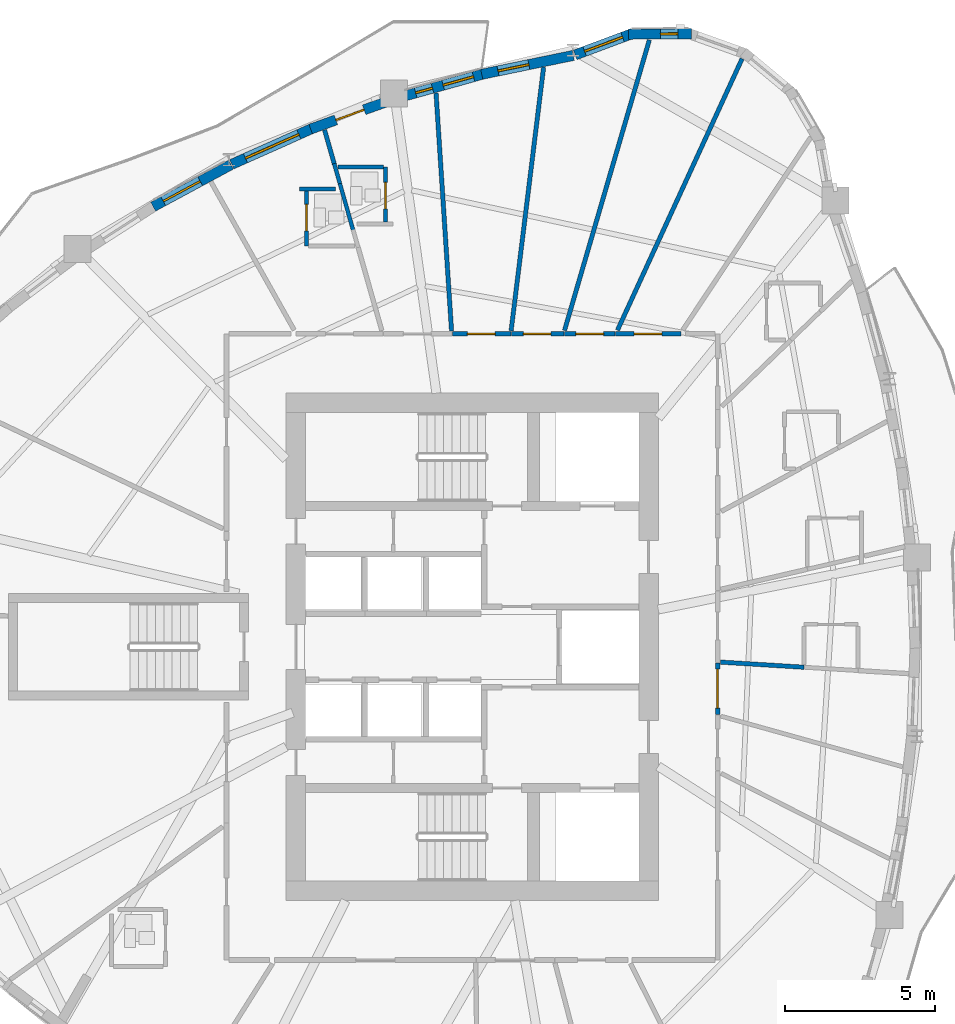
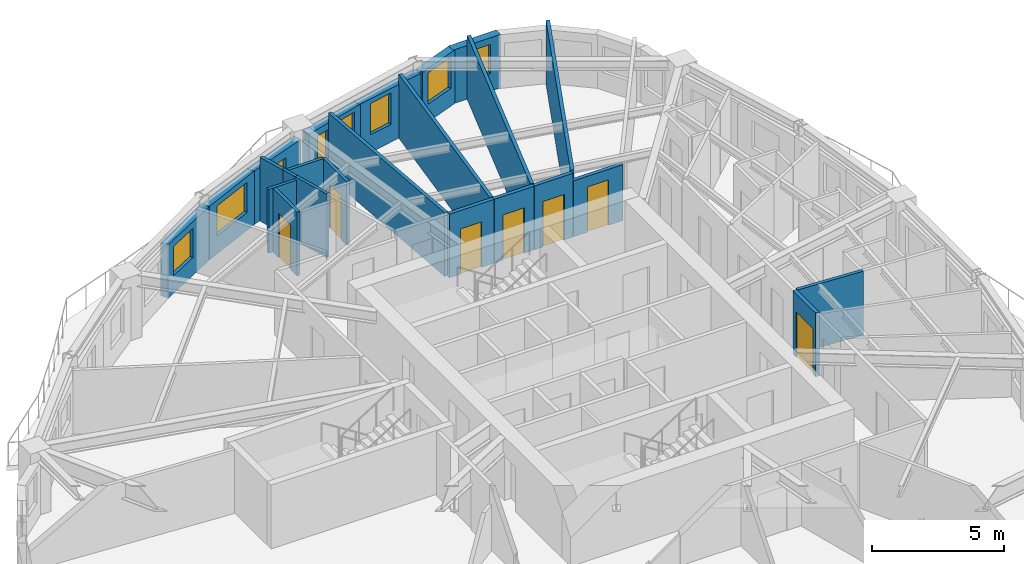
# One storey, part 9 of 17: 24 walls, 8 doors, 7 windows, 15 openings.
"""IFC4 building model written with IfcOpenShell, lengths in metres."""

import ifcopenshell
import ifcopenshell.guid

model = None  # the IFC model being written
_history = None  # IfcOwnerHistory: only IFC2X3 demands one
_inside = {}  # id of a spatial element -> (the spatial element, [elements in it])
_under = {}  # id of a project, library or spatial element -> (it, [spatial elements below it])
_declared = {}  # id of a project -> (the project, [libraries it declares])
_typed = {}  # id of a type object -> (the type object, [elements of that type])
_made_of = {}  # id of a material, layer set ... -> (it, [elements and type objects made of it])


def new_model(schema):
    """Start an empty IFC model of exactly this schema.

    Asked for "IFC4X3", IfcOpenShell would pick the latest addendum, in which some entities
    have other attributes; the version numbers below select the first issue.
    IFC2X3 requires an IfcOwnerHistory on every rooted entity: one is made here for all.
    """
    global model, _history
    if schema == "IFC4X3":
        model = ifcopenshell.file(schema_version=(4, 3, 0, 0))
    else:
        model = ifcopenshell.file(schema=schema)
    _inside.clear()
    _under.clear()
    _declared.clear()
    _typed.clear()
    _made_of.clear()
    _history = None
    if model.schema == "IFC2X3":
        org = make("IfcOrganization", Name="unknown")
        user = make(
            "IfcPersonAndOrganization",
            ThePerson=make("IfcPerson", FamilyName="unknown"),
            TheOrganization=org,
        )
        app = make(
            "IfcApplication",
            ApplicationDeveloper=org,
            Version="unknown",
            ApplicationFullName="unknown",
            ApplicationIdentifier="unknown",
        )
        _history = make(
            "IfcOwnerHistory",
            OwningUser=user,
            OwningApplication=app,
            ChangeAction="ADDED",
            CreationDate=0,
        )
    return model


def make(cls, **values):
    """One entity of the class cls with the attributes given. An attribute that is None is left unset."""
    return model.create_entity(
        cls, **{name: value for name, value in values.items() if value is not None}
    )


def rooted(cls, **values):
    """An entity with a GlobalId (a new one), such as an element, a storey or a relation."""
    return make(cls, GlobalId=ifcopenshell.guid.new(), OwnerHistory=_history, **values)


def si_unit(unit_type, name, prefix=None):
    """IfcSIUnit, for example si_unit("LENGTHUNIT", "METRE", prefix="MILLI")."""
    return make("IfcSIUnit", UnitType=unit_type, Prefix=prefix, Name=name)


def assignment(units):
    """IfcUnitAssignment: the units of a project."""
    return None if units is None else make("IfcUnitAssignment", Units=units)


def point(xyz):
    """IfcCartesianPoint."""
    return None if xyz is None else make("IfcCartesianPoint", Coordinates=xyz)


def direction(xyz):
    """IfcDirection."""
    return None if xyz is None else make("IfcDirection", DirectionRatios=xyz)


def frame(location, z_axis=None, x_axis=None):
    """IfcAxis2Placement3D, a coordinate frame: its origin and axes. An axis left out is left unset."""
    return make(
        "IfcAxis2Placement3D",
        Location=point(location),
        Axis=direction(z_axis),
        RefDirection=direction(x_axis),
    )


def frame_2d(location, x_axis=None):
    """IfcAxis2Placement2D, a coordinate frame in the plane: its origin and x axis."""
    return make(
        "IfcAxis2Placement2D", Location=point(location), RefDirection=direction(x_axis)
    )


def origin():
    """The frame at (0, 0, 0) with its axes left unset."""
    return frame((0.0, 0.0, 0.0))


def place(relative_to, where):
    """IfcLocalPlacement: puts the frame where relative to a parent placement (None: the world)."""
    return make(
        "IfcLocalPlacement", PlacementRelTo=relative_to, RelativePlacement=where
    )


def context(
    kind, dimensions, precision=None, world=None, true_north=None, identifier=None
):
    """IfcGeometricRepresentationContext, for example the 3D "Model" context."""
    return make(
        "IfcGeometricRepresentationContext",
        ContextIdentifier=identifier,
        ContextType=kind,
        CoordinateSpaceDimension=dimensions,
        Precision=precision,
        WorldCoordinateSystem=world,
        TrueNorth=true_north,
    )


def subcontext(parent, identifier, kind, view, scale=None):
    """IfcGeometricRepresentationSubContext, for example "Body" below "Model"."""
    return make(
        "IfcGeometricRepresentationSubContext",
        ContextIdentifier=identifier,
        ContextType=kind,
        ParentContext=parent,
        TargetScale=scale,
        TargetView=view,
    )


def project(units=None, contexts=None):
    """IfcProject with its units and contexts."""
    return rooted(
        "IfcProject",
        Name="project",
        RepresentationContexts=contexts,
        UnitsInContext=assignment(units),
    )


def spatial(cls, under=None, at=None, **own):
    """A site, building, storey or space (cls), placed at a placement, below another one or the project."""
    s = rooted(cls, ObjectPlacement=at, **own)
    if under is not None:
        _under.setdefault(under.id(), (under, []))[1].append(s)
    return s


def profile(cls, at=None, kind="AREA", **sizes):
    """A parametric profile (cls). Its sizes go by their IFC names, for example OverallWidth=200.0."""
    return make(cls, ProfileType=kind, Position=at, **sizes)


def rectangle(**sizes):
    """IfcRectangleProfileDef."""
    return profile("IfcRectangleProfileDef", **sizes)


def extrude(swept, where, along, depth):
    """IfcExtrudedAreaSolid: the profile swept, set in the frame where, extruded along a direction by depth."""
    return make(
        "IfcExtrudedAreaSolid",
        SweptArea=swept,
        Position=where,
        ExtrudedDirection=direction(along),
        Depth=depth,
    )


def shape(context_of_items, identifier, shape_type, items):
    """IfcShapeRepresentation: the items that make up one representation, for example the "Body"."""
    return make(
        "IfcShapeRepresentation",
        ContextOfItems=context_of_items,
        RepresentationIdentifier=identifier,
        RepresentationType=shape_type,
        Items=items,
    )


def source(mapping_origin, context_of_items, identifier, shape_type, items):
    """IfcRepresentationMap: a shape defined once, which mapped items show again and again."""
    return make(
        "IfcRepresentationMap",
        MappingOrigin=mapping_origin,
        MappedRepresentation=shape(context_of_items, identifier, shape_type, items),
    )


def transform(
    local_origin,
    x_axis=None,
    y_axis=None,
    z_axis=None,
    scale=None,
    scale2=None,
    scale3=None,
    uniform=True,
):
    """IfcCartesianTransformationOperator3D, or its non-uniform kind. x_axis, y_axis, z_axis: its Axis1, 2, 3."""
    if uniform:
        return make(
            "IfcCartesianTransformationOperator3D",
            Axis1=direction(x_axis),
            Axis2=direction(y_axis),
            LocalOrigin=point(local_origin),
            Scale=scale,
            Axis3=direction(z_axis),
        )
    return make(
        "IfcCartesianTransformationOperator3DnonUniform",
        Axis1=direction(x_axis),
        Axis2=direction(y_axis),
        LocalOrigin=point(local_origin),
        Scale=scale,
        Axis3=direction(z_axis),
        Scale2=scale2,
        Scale3=scale3,
    )


def mapped(mapping_source, mapping_target):
    """IfcMappedItem: shows the shape of a source again, moved by a transform."""
    return make(
        "IfcMappedItem", MappingSource=mapping_source, MappingTarget=mapping_target
    )


def material(Name=None, Category=None):
    """IfcMaterial."""
    return make("IfcMaterial", Name=Name, Category=Category)


def layer(
    of_material, thickness, ventilated=None, Name=None, Category=None, Priority=None
):
    """IfcMaterialLayer: one layer of a wall or slab, of a material (None: an air gap)."""
    return make(
        "IfcMaterialLayer",
        Material=of_material,
        LayerThickness=thickness,
        IsVentilated=ventilated,
        Name=Name,
        Category=Category,
        Priority=Priority,
    )


def layer_set(layers, Name=None):
    """IfcMaterialLayerSet."""
    return make("IfcMaterialLayerSet", MaterialLayers=layers, LayerSetName=Name)


def made_of(thing, what):
    """Note that an element or type object is made of a material, layer set ...; save() writes the relation."""
    if what is not None:
        _made_of.setdefault(what.id(), (what, []))[1].append(thing)
    return thing


def type_object(cls, material=None, **own):
    """A type object (cls), such as IfcWallType, which elements share."""
    return made_of(rooted(cls, **own), material)


def element(
    cls,
    number,
    at=None,
    inside=None,
    cuts=None,
    type_object=None,
    material=None,
    context=None,
    identifier="Body",
    shape_type=None,
    held_by="IfcProductDefinitionShape",
    body=None,
    shapes=None,
    **own,
):
    """One element of the class cls, such as IfcWall. Its Tag is "e" and its number.

    at: its placement. inside: the storey or other place that contains it. cuts: it is an
    opening in that element (IfcRelVoidsElement). A single representation is given by context,
    identifier, shape_type and body (its items); several are given by shapes. held_by: the class
    of the entity that holds the representations. save() writes the other relations.
    """
    e = rooted(cls, Tag="e%d" % number, ObjectPlacement=at, **own)
    if body is not None:
        shapes = [shape(context, identifier, shape_type, body)]
    if shapes is not None:
        e.Representation = make(held_by, Representations=shapes)
    if inside is not None:
        _inside.setdefault(inside.id(), (inside, []))[1].append(e)
    if cuts is not None:
        rooted(
            "IfcRelVoidsElement", RelatingBuildingElement=cuts, RelatedOpeningElement=e
        )
    if type_object is not None:
        _typed.setdefault(type_object.id(), (type_object, []))[1].append(e)
    return made_of(e, material)


def fill(opening, filler):
    """IfcRelFillsElement: the door or window that sits in an opening."""
    return rooted(
        "IfcRelFillsElement",
        RelatingOpeningElement=opening,
        RelatedBuildingElement=filler,
    )


def aggregate(whole, parts):
    """IfcRelAggregates: a whole, such as a stair, and the parts it consists of."""
    return rooted("IfcRelAggregates", RelatingObject=whole, RelatedObjects=parts)


def save(model, path):
    """Write the relations noted so far, then the file.

    IfcRelAggregates (storeys below a building ...), IfcRelContainedInSpatialStructure (elements
    in a storey), IfcRelDefinesByType, IfcRelAssociatesMaterial and IfcRelDeclares: one each for
    every whole, place, type object, material and project.
    """
    for whole, parts in _under.values():
        aggregate(whole, parts)
    for where, things in _inside.values():
        rooted(
            "IfcRelContainedInSpatialStructure",
            RelatedElements=things,
            RelatingStructure=where,
        )
    for kind, things in _typed.values():
        rooted("IfcRelDefinesByType", RelatedObjects=things, RelatingType=kind)
    for what, things in _made_of.values():
        rooted("IfcRelAssociatesMaterial", RelatedObjects=things, RelatingMaterial=what)
    for by, libraries in _declared.values():
        rooted("IfcRelDeclares", RelatingContext=by, RelatedDefinitions=libraries)
    model.write(path)


model = new_model("IFC4")

# Units and contexts
model_context = context("Model", 3, precision=1e-05, world=origin(), true_north=direction((0.0, 1.0)))
body_context = subcontext(model_context, "Body", "Model", "MODEL_VIEW")
ifc_project = project(units=[si_unit("LENGTHUNIT", "METRE"), si_unit("AREAUNIT", "SQUARE_METRE"), si_unit("VOLUMEUNIT", "CUBIC_METRE"), si_unit("PLANEANGLEUNIT", "RADIAN"), si_unit("MASSUNIT", "GRAM", prefix="KILO")], contexts=[model_context])

# Site, building, storey
site_placement = place(None, origin())
site = spatial("IfcSite", under=ifc_project, at=site_placement, CompositionType="ELEMENT")
building_placement = place(site_placement, origin())
building = spatial("IfcBuilding", under=site, at=building_placement, Name="Qafzar Sky-Pleat Residences", CompositionType="ELEMENT")
storey_placement = place(building_placement, frame((0.0, 0.0, 115.199951171875)))
storey = spatial("IfcBuildingStorey", under=building, at=storey_placement, Name="L34", CompositionType="ELEMENT", Elevation=115.199951171875)

# Wall, opening, door
ifc_material_1 = material(Name="Acoustic gypsum plasterboard partition", Category="gypsum")
ifc_layer_1 = layer(ifc_material_1, 0.159912109375)
ifc_layer_set_1 = layer_set([ifc_layer_1], Name="Acoustic gypsum plasterboard partition")
wall_type_1 = type_object("IfcWallType", Name="PART-COR-160", PredefinedType="PARTITIONING", material=ifc_layer_set_1)
wall_1_placement = place(storey_placement, frame((35.12109375, 36.429931640625, 0.0), z_axis=(0.0, 0.0, 1.0), x_axis=(1.0, 0.0, 0.0)))
wall_1 = element("IfcWall", 1, at=wall_1_placement, inside=storey, type_object=wall_type_1, Name="L34 Partition Wall PART-L34-PW-016", PredefinedType="PARTITIONING", context=body_context, shape_type="SweptSolid", body=[
    extrude(rectangle(XDim=2.178955078125, YDim=0.159912109375, at=frame_2d((1.08935546875, 0.0))), origin(), (0.0, 0.0, 1.0), 2.588134765625),
])
opening_1_placement = place(wall_1_placement, frame((0.62841796875, 0.0, 0.0)))
opening_1 = element("IfcOpeningElement", 2, at=opening_1_placement, cuts=wall_1, Name="Opening ID-04", PredefinedType="OPENING", context=body_context, shape_type="SweptSolid", body=[
    extrude(rectangle(XDim=0.919921875, YDim=2.10009765625, at=frame_2d((0.4599609375, 1.050048828125))), frame((0.0, 0.08984375, 0.0), z_axis=(0.0, -1.0, 0.0), x_axis=(1.0, 0.0, 0.0)), (0.0, 0.0, 1.0), 0.179931640625),
])
ifc_material_2 = material(Name="Timber-faced fire door", Category="wood")
door_type_1 = type_object("IfcDoorType", Name="DR-BED-920", OperationType="NOTDEFINED", PredefinedType="DOOR", material=ifc_material_2)
shared_shape_1 = source(origin(), body_context, "Body", "SweptSolid", [
    extrude(rectangle(XDim=0.919921875, YDim=2.10009765625, at=frame_2d((0.4599609375, 1.050048828125))), frame((0.0, 0.02490234375, 0.0), z_axis=(0.0, -1.0, 0.0), x_axis=(1.0, 0.0, 0.0)), (0.0, 0.0, 1.0), 0.050048828125),
])
door_1_placement = place(opening_1_placement, origin())
door_1 = element("IfcDoor", 3, at=door_1_placement, inside=storey, type_object=door_type_1, Name="L34 Co-Living Bedroom 2 Door", OperationType="SINGLE_SWING_RIGHT", OverallHeight=2.10009765625, OverallWidth=0.919921875, PredefinedType="DOOR", context=body_context, shape_type="MappedRepresentation", body=[
    mapped(shared_shape_1, transform((0.0, 0.0, 0.0), x_axis=(1.0, 0.0, 0.0), y_axis=(0.0, 1.0, 0.0), z_axis=(0.0, 0.0, 1.0), scale=1.0)),
])
fill(opening_1, door_1)

wall_2_placement = place(storey_placement, frame((29.699951171875, 36.429931640625, 0.0), z_axis=(0.0, 0.0, 1.0), x_axis=(1.0, 0.0, 0.0)))
wall_2 = element("IfcWall", 4, at=wall_2_placement, inside=storey, type_object=wall_type_1, Name="L34 Partition Wall PART-L34-PW-018", PredefinedType="PARTITIONING", context=body_context, shape_type="SweptSolid", body=[
    extrude(rectangle(XDim=1.950927734375, YDim=0.159912109375, at=frame_2d((0.9755859375, 0.0))), origin(), (0.0, 0.0, 1.0), 2.949951171875),
])
opening_2_placement = place(wall_2_placement, frame((0.492919921875, 0.0, 0.0)))
opening_2 = element("IfcOpeningElement", 5, at=opening_2_placement, cuts=wall_2, Name="Opening ID-04", PredefinedType="OPENING", context=body_context, shape_type="SweptSolid", body=[
    extrude(rectangle(XDim=0.919921875, YDim=2.10009765625, at=frame_2d((0.4599609375, 1.050048828125))), frame((0.0, 0.08984375, 0.0), z_axis=(0.0, -1.0, 0.0), x_axis=(1.0, 0.0, 0.0)), (0.0, 0.0, 1.0), 0.179931640625),
])
door_2_placement = place(opening_2_placement, origin())
door_2 = element("IfcDoor", 6, at=door_2_placement, inside=storey, type_object=door_type_1, Name="L34 Co-Living Bedroom 3 Door", OperationType="SINGLE_SWING_LEFT", OverallHeight=2.10009765625, OverallWidth=0.919921875, PredefinedType="DOOR", context=body_context, shape_type="MappedRepresentation", body=[
    mapped(shared_shape_1, transform((0.0, 0.0, 0.0), x_axis=(1.0, 0.0, 0.0), y_axis=(0.0, 1.0, 0.0), z_axis=(0.0, 0.0, 1.0), scale=1.0)),
])
fill(opening_2, door_2)

wall_3_placement = place(storey_placement, frame((31.666015625, 36.429931640625, 0.0), z_axis=(0.0, 0.0, 1.0), x_axis=(1.0, 0.0, 0.0)))
wall_3 = element("IfcWall", 7, at=wall_3_placement, inside=storey, type_object=wall_type_1, Name="L34 Partition Wall PART-L34-PW-028", PredefinedType="PARTITIONING", context=body_context, shape_type="SweptSolid", body=[
    extrude(rectangle(XDim=1.744873046875, YDim=0.159912109375, at=frame_2d((0.87255859375, 0.0))), origin(), (0.0, 0.0, 1.0), 2.949951171875),
])
opening_3_placement = place(wall_3_placement, frame((0.389404296875, 0.0, 0.0)))
opening_3 = element("IfcOpeningElement", 8, at=opening_3_placement, cuts=wall_3, Name="Opening ID-04", PredefinedType="OPENING", context=body_context, shape_type="SweptSolid", body=[
    extrude(rectangle(XDim=0.919921875, YDim=2.10009765625, at=frame_2d((0.4599609375, 1.050048828125))), frame((0.0, 0.08984375, 0.0), z_axis=(0.0, -1.0, 0.0), x_axis=(1.0, 0.0, 0.0)), (0.0, 0.0, 1.0), 0.179931640625),
])
door_3_placement = place(opening_3_placement, origin())
door_3 = element("IfcDoor", 9, at=door_3_placement, inside=storey, type_object=door_type_1, Name="L34 Co-Living Bedroom 4 Door", OperationType="SINGLE_SWING_LEFT", OverallHeight=2.10009765625, OverallWidth=0.919921875, PredefinedType="DOOR", context=body_context, shape_type="MappedRepresentation", body=[
    mapped(shared_shape_1, transform((0.0, 0.0, 0.0), x_axis=(1.0, 0.0, 0.0), y_axis=(0.0, 1.0, 0.0), z_axis=(0.0, 0.0, 1.0), scale=1.0)),
])
fill(opening_3, door_3)

wall_4_placement = place(storey_placement, frame((38.530029296875, 25.468017578125, 0.0), z_axis=(0.0, 0.0, 1.0), x_axis=(0.0, -1.0, 0.0)))
wall_4 = element("IfcWall", 10, at=wall_4_placement, inside=storey, type_object=wall_type_1, Name="L34 Partition Wall PART-L34-PW-029", PredefinedType="PARTITIONING", context=body_context, shape_type="SweptSolid", body=[
    extrude(rectangle(XDim=1.716064453125, YDim=0.159912109375, at=frame_2d((0.85791015625, 0.0))), origin(), (0.0, 0.0, 1.0), 2.949951171875),
])
opening_4_placement = place(wall_4_placement, frame((0.20849609375, 0.0, 0.0)))
opening_4 = element("IfcOpeningElement", 11, at=opening_4_placement, cuts=wall_4, Name="Opening ID-05", PredefinedType="OPENING", context=body_context, shape_type="SweptSolid", body=[
    extrude(rectangle(XDim=1.300048828125, YDim=2.10009765625, at=frame_2d((0.64990234375, 1.050048828125))), frame((0.0, 0.08984375, 0.0), z_axis=(0.0, -1.0, 0.0), x_axis=(1.0, 0.0, 0.0)), (0.0, 0.0, 1.0), 0.179931640625),
])
door_type_2 = type_object("IfcDoorType", Name="DR-LNG-1300", OperationType="DOUBLE_DOOR_SINGLE_SWING", PredefinedType="DOOR", material=ifc_material_2)
shared_shape_2 = source(origin(), body_context, "Body", "SweptSolid", [
    extrude(rectangle(XDim=1.300048828125, YDim=2.10009765625, at=frame_2d((0.64990234375, 1.050048828125))), frame((0.0, 0.02490234375, 0.0), z_axis=(0.0, -1.0, 0.0), x_axis=(1.0, 0.0, 0.0)), (0.0, 0.0, 1.0), 0.050048828125),
])
door_4_placement = place(opening_4_placement, origin())
door_4 = element("IfcDoor", 12, at=door_4_placement, inside=storey, type_object=door_type_2, Name="L34 Scholar Study Room Door", OperationType="DOUBLE_DOOR_SINGLE_SWING", OverallHeight=2.10009765625, OverallWidth=1.300048828125, PredefinedType="DOOR", context=body_context, shape_type="MappedRepresentation", body=[
    mapped(shared_shape_2, transform((0.0, 0.0, 0.0), x_axis=(1.0, 0.0, 0.0), y_axis=(0.0, 1.0, 0.0), z_axis=(0.0, 0.0, 1.0), scale=1.0)),
])
fill(opening_4, door_4)

wall_5_placement = place(storey_placement, frame((33.426025390625, 36.429931640625, 0.0), z_axis=(0.0, 0.0, 1.0), x_axis=(1.0, 0.0, 0.0)))
wall_5 = element("IfcWall", 13, at=wall_5_placement, inside=storey, type_object=wall_type_1, Name="L34 Partition Wall PART-L34-PW-030", PredefinedType="PARTITIONING", context=body_context, shape_type="SweptSolid", body=[
    extrude(rectangle(XDim=1.679931640625, YDim=0.159912109375, at=frame_2d((0.83984375, 0.0))), origin(), (0.0, 0.0, 1.0), 2.949951171875),
])
opening_5_placement = place(wall_5_placement, frame((0.3798828125, 0.0, 0.0)))
opening_5 = element("IfcOpeningElement", 14, at=opening_5_placement, cuts=wall_5, Name="Opening ID-04", PredefinedType="OPENING", context=body_context, shape_type="SweptSolid", body=[
    extrude(rectangle(XDim=0.919921875, YDim=2.10009765625, at=frame_2d((0.4599609375, 1.050048828125))), frame((0.0, 0.08984375, 0.0), z_axis=(0.0, -1.0, 0.0), x_axis=(1.0, 0.0, 0.0)), (0.0, 0.0, 1.0), 0.179931640625),
])
door_5_placement = place(opening_5_placement, origin())
door_5 = element("IfcDoor", 15, at=door_5_placement, inside=storey, type_object=door_type_1, Name="L34 Co-Living Bedroom 1 Door", OperationType="SINGLE_SWING_RIGHT", OverallHeight=2.10009765625, OverallWidth=0.919921875, PredefinedType="DOOR", context=body_context, shape_type="MappedRepresentation", body=[
    mapped(shared_shape_1, transform((0.0, 0.0, 0.0), x_axis=(1.0, 0.0, 0.0), y_axis=(0.0, 1.0, 0.0), z_axis=(0.0, 0.0, 1.0), scale=1.0)),
])
fill(opening_5, door_5)

# Walls
ifc_layer_2 = layer(ifc_material_1, 0.14501953125)
ifc_layer_set_2 = layer_set([ifc_layer_2], Name="Acoustic gypsum plasterboard partition")
wall_type_2 = type_object("IfcWallType", Name="PART-UNIT-145", PredefinedType="PARTITIONING", material=ifc_layer_set_2)
wall_6_placement = place(storey_placement, frame((33.426513671875, 36.5380859375, 0.0), z_axis=(0.0, 0.0, 1.0), x_axis=(0.280326379037, 0.959904745908, 0.0)))
element("IfcWall", 16, at=wall_6_placement, inside=storey, type_object=wall_type_2, Name="L34 Partition Wall PART-L34-PW-032", PredefinedType="PARTITIONING", context=body_context, shape_type="SweptSolid", body=[
    extrude(rectangle(XDim=10.081787109375, YDim=0.14501953125, at=frame_2d((5.041015625, 0.0))), origin(), (0.0, 0.0, 1.0), 2.949951171875),
])
wall_7_placement = place(storey_placement, frame((35.19091796875, 36.547607421875, 0.0), z_axis=(0.0, 0.0, 1.0), x_axis=(0.417154036681, 0.908835799075, 0.0)))
element("IfcWall", 17, at=wall_7_placement, inside=storey, type_object=wall_type_2, Name="L34 Partition Wall PART-L34-PW-033", PredefinedType="PARTITIONING", context=body_context, shape_type="SweptSolid", body=[
    extrude(rectangle(XDim=9.94873046875, YDim=0.14501953125, at=frame_2d((4.974365234375, 0.0))), origin(), (0.0, 0.0, 1.0), 2.949951171875),
])
wall_8_placement = place(storey_placement, frame((31.64794921875, 36.52685546875, 0.0), z_axis=(0.0, 0.0, 1.0), x_axis=(0.122371290087, 0.992484391496, 0.0)))
element("IfcWall", 18, at=wall_8_placement, inside=storey, type_object=wall_type_2, Name="L34 Partition Wall PART-L34-PW-035", PredefinedType="PARTITIONING", context=body_context, shape_type="SweptSolid", body=[
    extrude(rectangle(XDim=8.852294921875, YDim=0.14501953125, at=frame_2d((4.42626953125, 0.0))), origin(), (0.0, 0.0, 1.0), 2.949951171875),
])
wall_9_placement = place(storey_placement, frame((29.147216796875, 44.443603515625, 0.0), z_axis=(0.0, 0.0, 1.0), x_axis=(0.065112427166, -0.997877934333, 0.0)))
element("IfcWall", 19, at=wall_9_placement, inside=storey, type_object=wall_type_2, Name="L34 Partition Wall PART-L34-PW-039", PredefinedType="PARTITIONING", context=body_context, shape_type="SweptSolid", body=[
    extrude(rectangle(XDim=7.937744140625, YDim=0.14501953125, at=frame_2d((3.96875, 0.0))), origin(), (0.0, 0.0, 1.0), 2.949951171875),
])
wall_10_placement = place(storey_placement, frame((38.622314453125, 25.4921875, 0.0), z_axis=(0.0, 0.0, 1.0), x_axis=(0.998116736368, -0.061343138015, 0.0)))
element("IfcWall", 20, at=wall_10_placement, inside=storey, type_object=wall_type_2, Name="L34 Partition Wall PART-L34-PW-053", PredefinedType="PARTITIONING", context=body_context, shape_type="SweptSolid", body=[
    extrude(rectangle(XDim=2.7900390625, YDim=0.14501953125, at=frame_2d((1.39501953125, 0.0))), origin(), (0.0, 0.0, 1.0), 2.949951171875),
])
wall_11_placement = place(storey_placement, frame((25.433349609375, 43.221923828125, 0.0), z_axis=(0.0, 0.0, 1.0), x_axis=(0.274641170969, -0.961546788882, 0.0)))
element("IfcWall", 21, at=wall_11_placement, inside=storey, type_object=wall_type_2, Name="L34 Partition Wall PART-L34-PW-078", PredefinedType="PARTITIONING", context=body_context, shape_type="SweptSolid", body=[
    extrude(rectangle(XDim=1.2099609375, YDim=0.14501953125, at=frame_2d((0.60498046875, 0.0))), origin(), (0.0, 0.0, 1.0), 2.949951171875),
])

# Wall, opening, door
ifc_material_3 = material(Name="Moisture-resistant gypsum partition", Category="gypsum")
ifc_layer_3 = layer(ifc_material_3, 0.1298828125)
ifc_layer_set_3 = layer_set([ifc_layer_3], Name="Moisture-resistant gypsum partition")
wall_type_3 = type_object("IfcWallType", Name="PART-WET-130", PredefinedType="PARTITIONING", material=ifc_layer_set_3)
wall_12_placement = place(storey_placement, frame((24.8310546875, 41.177978515625, 0.0), z_axis=(0.0, 0.0, 1.0), x_axis=(0.0, -1.0, 0.0)))
wall_12 = element("IfcWall", 22, at=wall_12_placement, inside=storey, type_object=wall_type_3, Name="L34 Partition Wall PART-L34-PW-022", PredefinedType="PARTITIONING", context=body_context, shape_type="SweptSolid", body=[
    extrude(rectangle(XDim=1.826904296875, YDim=0.1298828125, at=frame_2d((0.91357421875, 0.0))), origin(), (0.0, 0.0, 1.0), 2.949951171875),
])
opening_6_placement = place(wall_12_placement, frame((0.43701171875, 0.0, 0.0)))
opening_6 = element("IfcOpeningElement", 23, at=opening_6_placement, cuts=wall_12, Name="Opening ID-07", PredefinedType="OPENING", context=body_context, shape_type="SweptSolid", body=[
    extrude(rectangle(XDim=0.8798828125, YDim=2.050048828125, at=frame_2d((0.43994140625, 1.02490234375))), frame((0.0, 0.074951171875, 0.0), z_axis=(0.0, -1.0, 0.0), x_axis=(1.0, 0.0, 0.0)), (0.0, 0.0, 1.0), 0.14990234375),
])
door_type_3 = type_object("IfcDoorType", Name="DR-WET-880", OperationType="NOTDEFINED", PredefinedType="DOOR", material=ifc_material_2)
shared_shape_3 = source(origin(), body_context, "Body", "SweptSolid", [
    extrude(rectangle(XDim=0.8798828125, YDim=2.050048828125, at=frame_2d((0.43994140625, 1.02490234375))), frame((0.0, 0.02490234375, 0.0), z_axis=(0.0, -1.0, 0.0), x_axis=(1.0, 0.0, 0.0)), (0.0, 0.0, 1.0), 0.050048828125),
])
door_6_placement = place(opening_6_placement, origin())
door_6 = element("IfcDoor", 24, at=door_6_placement, inside=storey, type_object=door_type_3, Name="L34 En-suite Bathroom 5 Door", OperationType="SINGLE_SWING_LEFT", OverallHeight=2.050048828125, OverallWidth=0.8798828125, PredefinedType="DOOR", context=body_context, shape_type="MappedRepresentation", body=[
    mapped(shared_shape_3, transform((0.0, 0.0, 0.0), x_axis=(1.0, 0.0, 0.0), y_axis=(0.0, 1.0, 0.0), z_axis=(0.0, 0.0, 1.0), scale=1.0)),
])
fill(opening_6, door_6)

wall_13_placement = place(storey_placement, frame((27.469970703125, 40.154052734375, 0.0), z_axis=(0.0, 0.0, 1.0), x_axis=(0.0, 1.0, 0.0)))
wall_13 = element("IfcWall", 25, at=wall_13_placement, inside=storey, type_object=wall_type_3, Name="L34 Partition Wall PART-L34-PW-023", PredefinedType="PARTITIONING", context=body_context, shape_type="SweptSolid", body=[
    extrude(rectangle(XDim=1.826904296875, YDim=0.1298828125, at=frame_2d((0.91357421875, 0.0))), origin(), (0.0, 0.0, 1.0), 2.949951171875),
])
opening_7_placement = place(wall_13_placement, frame((0.43701171875, 0.0, 0.0)))
opening_7 = element("IfcOpeningElement", 26, at=opening_7_placement, cuts=wall_13, Name="Opening ID-07", PredefinedType="OPENING", context=body_context, shape_type="SweptSolid", body=[
    extrude(rectangle(XDim=0.8798828125, YDim=2.050048828125, at=frame_2d((0.43994140625, 1.02490234375))), frame((0.0, 0.074951171875, 0.0), z_axis=(0.0, -1.0, 0.0), x_axis=(1.0, 0.0, 0.0)), (0.0, 0.0, 1.0), 0.14990234375),
])
door_7_placement = place(opening_7_placement, origin())
door_7 = element("IfcDoor", 27, at=door_7_placement, inside=storey, type_object=door_type_3, Name="L34 En-suite Bathroom 6 Door", OperationType="SINGLE_SWING_RIGHT", OverallHeight=2.050048828125, OverallWidth=0.8798828125, PredefinedType="DOOR", context=body_context, shape_type="MappedRepresentation", body=[
    mapped(shared_shape_3, transform((0.0, 0.0, 0.0), x_axis=(1.0, 0.0, 0.0), y_axis=(0.0, 1.0, 0.0), z_axis=(0.0, 0.0, 1.0), scale=1.0)),
])
fill(opening_7, door_7)

# Walls
wall_14_placement = place(storey_placement, frame((25.882080078125, 41.98095703125, 0.0), z_axis=(0.0, 0.0, 1.0), x_axis=(1.0, 0.0, 0.0)))
element("IfcWall", 28, at=wall_14_placement, inside=storey, type_object=wall_type_3, Name="L34 Partition Wall PART-L34-PW-068", PredefinedType="PARTITIONING", context=body_context, shape_type="SweptSolid", body=[
    extrude(rectangle(XDim=1.514892578125, YDim=0.1298828125, at=frame_2d((0.75732421875, 0.0))), origin(), (0.0, 0.0, 1.0), 2.949951171875),
])
wall_15_placement = place(storey_placement, frame((25.93017578125, 41.481689453125, 0.0), z_axis=(0.0, 0.0, 1.0), x_axis=(0.274344452215, -0.961631489469, 0.0)))
element("IfcWall", 29, at=wall_15_placement, inside=storey, type_object=wall_type_3, Name="L34 Partition Wall PART-L34-PW-080", PredefinedType="PARTITIONING", context=body_context, shape_type="SweptSolid", body=[
    extrude(rectangle(XDim=1.712158203125, YDim=0.1298828125, at=frame_2d((0.85595703125, 0.0))), origin(), (0.0, 0.0, 1.0), 2.949951171875),
])
wall_16_placement = place(storey_placement, frame((24.591064453125, 41.2509765625, 0.0), z_axis=(0.0, 0.0, 1.0), x_axis=(1.0, 0.0, 0.0)))
element("IfcWall", 30, at=wall_16_placement, inside=storey, type_object=wall_type_3, Name="L34 Partition Wall PART-L34-PW-084", PredefinedType="PARTITIONING", context=body_context, shape_type="SweptSolid", body=[
    extrude(rectangle(XDim=1.21484375, YDim=0.1298828125, at=frame_2d((0.607421875, 0.0))), origin(), (0.0, 0.0, 1.0), 2.949951171875),
])
wall_17_placement = place(storey_placement, frame((25.754638671875, 42.09912109375, 0.0), z_axis=(0.0, 0.0, 1.0), x_axis=(0.273881956808, -0.961763314821, 0.0)))
element("IfcWall", 31, at=wall_17_placement, inside=storey, type_object=wall_type_3, Name="L34 Partition Wall PART-L34-PW-090", PredefinedType="PARTITIONING", context=body_context, shape_type="SweptSolid", body=[
    extrude(rectangle(XDim=0.691650390625, YDim=0.1298828125, at=frame_2d((0.345703125, 0.0))), origin(), (0.0, 0.0, 1.0), 2.949951171875),
])

# Wall, opening, window
ifc_material_4 = material(Name="Precast concrete C40/50 with honed Riyadh limestone", Category="concrete")
ifc_layer_4 = layer(ifc_material_4, 0.340087890625)
ifc_layer_set_4 = layer_set([ifc_layer_4], Name="Precast concrete C40/50 with honed Riyadh limestone")
wall_type_4 = type_object("IfcWallType", Name="WALL-EXT-340", PredefinedType="SOLIDWALL", material=ifc_layer_set_4)
wall_18_placement = place(storey_placement, frame((37.66162109375, 46.423583984375, 0.0), z_axis=(0.0, 0.0, 1.0), x_axis=(-0.999976456891, -0.00686189939, 0.0)))
wall_18 = element("IfcWall", 32, at=wall_18_placement, inside=storey, type_object=wall_type_4, Name="L34 Limestone Facade Wall 37", PredefinedType="SOLIDWALL", context=body_context, shape_type="SweptSolid", body=[
    extrude(rectangle(XDim=2.09912109375, YDim=0.340087890625, at=frame_2d((1.049560546875, 0.0))), origin(), (0.0, 0.0, 1.0), 2.47998046875),
])
opening_8_placement = place(wall_18_placement, frame((0.45751953125, 0.0, 0.820068359375)))
opening_8 = element("IfcOpeningElement", 33, at=opening_8_placement, cuts=wall_18, Name="Opening WN-17", PredefinedType="OPENING", context=body_context, shape_type="SweptSolid", body=[
    extrude(rectangle(XDim=0.580078125, YDim=1.35009765625, at=frame_2d((0.2900390625, 0.675048828125))), frame((0.0, 0.18017578125, 0.0), z_axis=(0.0, -1.0, 0.0), x_axis=(1.0, 0.0, 0.0)), (0.0, 0.0, 1.0), 0.360107421875),
])
ifc_material_5 = material(Name="Solar-control low-E glass in bronze aluminium frame", Category="glass")
window_type_1 = type_object("IfcWindowType", Name="WIN-17", PartitioningType="SINGLE_PANEL", PredefinedType="WINDOW", material=ifc_material_5)
shared_shape_4 = source(origin(), body_context, "Body", "SweptSolid", [
    extrude(rectangle(XDim=0.580078125, YDim=1.35009765625, at=frame_2d((0.2900390625, 0.675048828125))), frame((0.0, 0.030029296875, 0.0), z_axis=(0.0, -1.0, 0.0), x_axis=(1.0, 0.0, 0.0)), (0.0, 0.0, 1.0), 0.06005859375),
])
window_1_placement = place(opening_8_placement, origin())
window_1 = element("IfcWindow", 34, at=window_1_placement, inside=storey, type_object=window_type_1, Name="L34 Punched Facade Window 37", OverallHeight=1.35009765625, OverallWidth=0.580078125, PartitioningType="SINGLE_PANEL", PredefinedType="WINDOW", context=body_context, shape_type="MappedRepresentation", body=[
    mapped(shared_shape_4, transform((0.0, 0.0, 0.0), x_axis=(1.0, 0.0, 0.0), y_axis=(0.0, 1.0, 0.0), z_axis=(0.0, 0.0, 1.0), scale=1.0)),
])
fill(opening_8, window_1)

wall_19_placement = place(storey_placement, frame((35.694580078125, 46.43359375, 0.0), z_axis=(0.0, 0.0, 1.0), x_axis=(-0.9368002254, -0.349864741994, 0.0)))
wall_19 = element("IfcWall", 35, at=wall_19_placement, inside=storey, type_object=wall_type_4, Name="L34 Limestone Facade Wall 38", PredefinedType="SOLIDWALL", context=body_context, shape_type="SweptSolid", body=[
    extrude(rectangle(XDim=2.041015625, YDim=0.340087890625, at=frame_2d((1.0205078125, 0.0))), origin(), (0.0, 0.0, 1.0), 2.47998046875),
])
opening_9_placement = place(wall_19_placement, frame((0.35546875, 0.0, 0.820068359375)))
opening_9 = element("IfcOpeningElement", 36, at=opening_9_placement, cuts=wall_19, Name="Opening WN-04", PredefinedType="OPENING", context=body_context, shape_type="SweptSolid", body=[
    extrude(rectangle(XDim=1.35009765625, YDim=1.449951171875, at=frame_2d((0.675048828125, 0.72509765625))), frame((0.0, 0.18017578125, 0.0), z_axis=(0.0, -1.0, 0.0), x_axis=(1.0, 0.0, 0.0)), (0.0, 0.0, 1.0), 0.360107421875),
])
window_type_2 = type_object("IfcWindowType", Name="WIN-04", PartitioningType="SINGLE_PANEL", PredefinedType="WINDOW", material=ifc_material_5)
shared_shape_5 = source(origin(), body_context, "Body", "SweptSolid", [
    extrude(rectangle(XDim=1.35009765625, YDim=1.449951171875, at=frame_2d((0.675048828125, 0.72509765625))), frame((0.0, 0.030029296875, 0.0), z_axis=(0.0, -1.0, 0.0), x_axis=(1.0, 0.0, 0.0)), (0.0, 0.0, 1.0), 0.06005859375),
])
window_2_placement = place(opening_9_placement, origin())
window_2 = element("IfcWindow", 37, at=window_2_placement, inside=storey, type_object=window_type_2, Name="L34 Punched Facade Window 38", OverallHeight=1.449951171875, OverallWidth=1.35009765625, PartitioningType="SINGLE_PANEL", PredefinedType="WINDOW", context=body_context, shape_type="MappedRepresentation", body=[
    mapped(shared_shape_5, transform((0.0, 0.0, 0.0), x_axis=(1.0, 0.0, 0.0), y_axis=(0.0, 1.0, 0.0), z_axis=(0.0, 0.0, 1.0), scale=1.0)),
])
fill(opening_9, window_2)

wall_20_placement = place(storey_placement, frame((33.718994140625, 45.701171875, 0.0), z_axis=(0.0, 0.0, 1.0), x_axis=(-0.979417849231, -0.201843198072, 0.0)))
wall_20 = element("IfcWall", 38, at=wall_20_placement, inside=storey, type_object=wall_type_4, Name="L34 Limestone Facade Wall 39", PredefinedType="SOLIDWALL", context=body_context, shape_type="SweptSolid", body=[
    extrude(rectangle(XDim=3.11328125, YDim=0.340087890625, at=frame_2d((1.556640625, 0.0))), origin(), (0.0, 0.0, 1.0), 2.47998046875),
])
opening_10_placement = place(wall_20_placement, frame((1.510986328125, 0.0, 0.820068359375)))
opening_10 = element("IfcOpeningElement", 39, at=opening_10_placement, cuts=wall_20, Name="Opening WN-06", PredefinedType="OPENING", context=body_context, shape_type="SweptSolid", body=[
    extrude(rectangle(XDim=1.050048828125, YDim=1.449951171875, at=frame_2d((0.52490234375, 0.72509765625))), frame((0.0, 0.18017578125, 0.0), z_axis=(0.0, -1.0, 0.0), x_axis=(1.0, 0.0, 0.0)), (0.0, 0.0, 1.0), 0.360107421875),
])
window_type_3 = type_object("IfcWindowType", Name="WIN-06", PartitioningType="SINGLE_PANEL", PredefinedType="WINDOW", material=ifc_material_5)
shared_shape_6 = source(origin(), body_context, "Body", "SweptSolid", [
    extrude(rectangle(XDim=1.050048828125, YDim=1.449951171875, at=frame_2d((0.52490234375, 0.72509765625))), frame((0.0, 0.030029296875, 0.0), z_axis=(0.0, -1.0, 0.0), x_axis=(1.0, 0.0, 0.0)), (0.0, 0.0, 1.0), 0.06005859375),
])
window_3_placement = place(opening_10_placement, origin())
window_3 = element("IfcWindow", 40, at=window_3_placement, inside=storey, type_object=window_type_3, Name="L34 Punched Facade Window 39-2", OverallHeight=1.449951171875, OverallWidth=1.050048828125, PartitioningType="SINGLE_PANEL", PredefinedType="WINDOW", context=body_context, shape_type="MappedRepresentation", body=[
    mapped(shared_shape_6, transform((0.0, 0.0, 0.0), x_axis=(1.0, 0.0, 0.0), y_axis=(0.0, 1.0, 0.0), z_axis=(0.0, 0.0, 1.0), scale=1.0)),
])
fill(opening_10, window_3)

# Wall, openings, windows
wall_21_placement = place(storey_placement, frame((30.7548828125, 45.093505859375, 0.0), z_axis=(0.0, 0.0, 1.0), x_axis=(-0.963040794714, -0.269355578589, 0.0)))
wall_21 = element("IfcWall", 41, at=wall_21_placement, inside=storey, type_object=wall_type_4, Name="L34 Limestone Facade Wall 40", PredefinedType="SOLIDWALL", context=body_context, shape_type="SweptSolid", body=[
    extrude(rectangle(XDim=2.8388671875, YDim=0.340087890625, at=frame_2d((1.41943359375, 0.0))), origin(), (0.0, 0.0, 1.0), 2.47998046875),
])
opening_11_placement = place(wall_21_placement, frame((0.373046875, 0.0, 0.820068359375)))
opening_11 = element("IfcOpeningElement", 42, at=opening_11_placement, cuts=wall_21, Name="Opening WN-06", PredefinedType="OPENING", context=body_context, shape_type="SweptSolid", body=[
    extrude(rectangle(XDim=1.050048828125, YDim=1.449951171875, at=frame_2d((0.52490234375, 0.72509765625))), frame((0.0, 0.18017578125, 0.0), z_axis=(0.0, -1.0, 0.0), x_axis=(1.0, 0.0, 0.0)), (0.0, 0.0, 1.0), 0.360107421875),
])
opening_12_placement = place(wall_21_placement, frame((1.79248046875, 0.0, 0.820068359375)))
opening_12 = element("IfcOpeningElement", 43, at=opening_12_placement, cuts=wall_21, Name="Opening WN-17", PredefinedType="OPENING", context=body_context, shape_type="SweptSolid", body=[
    extrude(rectangle(XDim=0.580078125, YDim=1.35009765625, at=frame_2d((0.2900390625, 0.675048828125))), frame((0.0, 0.18017578125, 0.0), z_axis=(0.0, -1.0, 0.0), x_axis=(1.0, 0.0, 0.0)), (0.0, 0.0, 1.0), 0.360107421875),
])
window_4_placement = place(opening_12_placement, origin())
window_4 = element("IfcWindow", 44, at=window_4_placement, inside=storey, type_object=window_type_1, Name="L34 Punched Facade Window 40-2", OverallHeight=1.35009765625, OverallWidth=0.580078125, PartitioningType="SINGLE_PANEL", PredefinedType="WINDOW", context=body_context, shape_type="MappedRepresentation", body=[
    mapped(shared_shape_4, transform((0.0, 0.0, 0.0), x_axis=(1.0, 0.0, 0.0), y_axis=(0.0, 1.0, 0.0), z_axis=(0.0, 0.0, 1.0), scale=1.0)),
])
fill(opening_12, window_4)
window_5_placement = place(opening_11_placement, origin())
window_5 = element("IfcWindow", 45, at=window_5_placement, inside=storey, type_object=window_type_3, Name="L34 Punched Facade Window 40", OverallHeight=1.449951171875, OverallWidth=1.050048828125, PartitioningType="SINGLE_PANEL", PredefinedType="WINDOW", context=body_context, shape_type="MappedRepresentation", body=[
    mapped(shared_shape_6, transform((0.0, 0.0, 0.0), x_axis=(1.0, 0.0, 0.0), y_axis=(0.0, 1.0, 0.0), z_axis=(0.0, 0.0, 1.0), scale=1.0)),
])
fill(opening_11, window_5)

# Wall, opening, door
wall_22_placement = place(storey_placement, frame((27.5947265625, 44.19287109375, 0.0), z_axis=(0.0, 0.0, 1.0), x_axis=(-0.94107471628, -0.338198726163, 0.0)))
wall_22 = element("IfcWall", 46, at=wall_22_placement, inside=storey, type_object=wall_type_4, Name="L34 Limestone Facade Wall 41", PredefinedType="SOLIDWALL", context=body_context, shape_type="SweptSolid", body=[
    extrude(rectangle(XDim=2.789306640625, YDim=0.340087890625, at=frame_2d((1.39453125, 0.0))), origin(), (0.0, 0.0, 1.0), 2.47998046875),
])
opening_13_placement = place(wall_22_placement, frame((0.894775390625, 0.0, 0.0)))
opening_13 = element("IfcOpeningElement", 47, at=opening_13_placement, cuts=wall_22, Name="Opening ED-05", PredefinedType="OPENING", context=body_context, shape_type="SweptSolid", body=[
    extrude(rectangle(XDim=1.0, YDim=2.10009765625, at=frame_2d((0.5, 1.050048828125))), frame((0.0, 0.18017578125, 0.0), z_axis=(0.0, -1.0, 0.0), x_axis=(1.0, 0.0, 0.0)), (0.0, 0.0, 1.0), 0.360107421875),
])
ifc_material_6 = material(Name="Glazed bronze aluminium door", Category="aluminium")
door_type_4 = type_object("IfcDoorType", Name="DR-BAL-1000", OperationType="NOTDEFINED", PredefinedType="DOOR", material=ifc_material_6)
shared_shape_7 = source(origin(), body_context, "Body", "SweptSolid", [
    extrude(rectangle(XDim=1.0, YDim=2.10009765625, at=frame_2d((0.5, 1.050048828125))), frame((0.0, 0.02490234375, 0.0), z_axis=(0.0, -1.0, 0.0), x_axis=(1.0, 0.0, 0.0)), (0.0, 0.0, 1.0), 0.050048828125),
])
door_8_placement = place(opening_13_placement, origin())
door_8 = element("IfcDoor", 48, at=door_8_placement, inside=storey, type_object=door_type_4, Name="L34 Glazed Balcony Door 2", OperationType="SINGLE_SWING_LEFT", OverallHeight=2.10009765625, OverallWidth=1.0, PredefinedType="DOOR", context=body_context, shape_type="MappedRepresentation", body=[
    mapped(shared_shape_7, transform((0.0, 0.0, 0.0), x_axis=(1.0, 0.0, 0.0), y_axis=(0.0, 1.0, 0.0), z_axis=(0.0, 0.0, 1.0), scale=1.0)),
])
fill(opening_13, door_8)

# Wall, opening, window
wall_23_placement = place(storey_placement, frame((25.052001953125, 43.28271484375, 0.0), z_axis=(0.0, 0.0, 1.0), x_axis=(-0.913400340023, -0.407062426227, 0.0)))
wall_23 = element("IfcWall", 49, at=wall_23_placement, inside=storey, type_object=wall_type_4, Name="L34 Limestone Facade Wall 42", PredefinedType="SOLIDWALL", context=body_context, shape_type="SweptSolid", body=[
    extrude(rectangle(XDim=2.9658203125, YDim=0.340087890625, at=frame_2d((1.48291015625, 0.0))), origin(), (0.0, 0.0, 1.0), 2.47998046875),
])
opening_14_placement = place(wall_23_placement, frame((0.517822265625, 0.0, 0.820068359375)))
opening_14 = element("IfcOpeningElement", 50, at=opening_14_placement, cuts=wall_23, Name="Opening WN-08", PredefinedType="OPENING", context=body_context, shape_type="SweptSolid", body=[
    extrude(rectangle(XDim=1.949951171875, YDim=1.39990234375, at=frame_2d((0.97509765625, 0.699951171875))), frame((0.0, 0.18017578125, 0.0), z_axis=(0.0, -1.0, 0.0), x_axis=(1.0, 0.0, 0.0)), (0.0, 0.0, 1.0), 0.360107421875),
])
window_type_4 = type_object("IfcWindowType", Name="WIN-08", PartitioningType="DOUBLE_PANEL_VERTICAL", PredefinedType="WINDOW", material=ifc_material_5)
shared_shape_8 = source(origin(), body_context, "Body", "SweptSolid", [
    extrude(rectangle(XDim=1.949951171875, YDim=1.39990234375, at=frame_2d((0.97509765625, 0.699951171875))), frame((0.0, 0.030029296875, 0.0), z_axis=(0.0, -1.0, 0.0), x_axis=(1.0, 0.0, 0.0)), (0.0, 0.0, 1.0), 0.06005859375),
])
window_6_placement = place(opening_14_placement, origin())
window_6 = element("IfcWindow", 51, at=window_6_placement, inside=storey, type_object=window_type_4, Name="L34 Punched Facade Window 42", OverallHeight=1.39990234375, OverallWidth=1.949951171875, PartitioningType="SINGLE_PANEL", PredefinedType="WINDOW", context=body_context, shape_type="MappedRepresentation", body=[
    mapped(shared_shape_8, transform((0.0, 0.0, 0.0), x_axis=(1.0, 0.0, 0.0), y_axis=(0.0, 1.0, 0.0), z_axis=(0.0, 0.0, 1.0), scale=1.0)),
])
fill(opening_14, window_6)

wall_24_placement = place(storey_placement, frame((22.318603515625, 42.0634765625, 0.0), z_axis=(0.0, 0.0, 1.0), x_axis=(-0.880050731383, -0.4748796797, 0.0)))
wall_24 = element("IfcWall", 52, at=wall_24_placement, inside=storey, type_object=wall_type_4, Name="L34 Limestone Facade Wall 43", PredefinedType="SOLIDWALL", context=body_context, shape_type="SweptSolid", body=[
    extrude(rectangle(XDim=2.948974609375, YDim=0.340087890625, at=frame_2d((1.474609375, 0.0))), origin(), (0.0, 0.0, 1.0), 2.47998046875),
])
opening_15_placement = place(wall_24_placement, frame((1.165771484375, 0.0, 0.820068359375)))
opening_15 = element("IfcOpeningElement", 53, at=opening_15_placement, cuts=wall_24, Name="Opening WN-10", PredefinedType="OPENING", context=body_context, shape_type="SweptSolid", body=[
    extrude(rectangle(XDim=1.39990234375, YDim=1.35009765625, at=frame_2d((0.699951171875, 0.675048828125))), frame((0.0, 0.18017578125, 0.0), z_axis=(0.0, -1.0, 0.0), x_axis=(1.0, 0.0, 0.0)), (0.0, 0.0, 1.0), 0.360107421875),
])
window_type_5 = type_object("IfcWindowType", Name="WIN-10", PartitioningType="SINGLE_PANEL", PredefinedType="WINDOW", material=ifc_material_5)
shared_shape_9 = source(origin(), body_context, "Body", "SweptSolid", [
    extrude(rectangle(XDim=1.39990234375, YDim=1.35009765625, at=frame_2d((0.699951171875, 0.675048828125))), frame((0.0, 0.030029296875, 0.0), z_axis=(0.0, -1.0, 0.0), x_axis=(1.0, 0.0, 0.0)), (0.0, 0.0, 1.0), 0.06005859375),
])
window_7_placement = place(opening_15_placement, origin())
window_7 = element("IfcWindow", 54, at=window_7_placement, inside=storey, type_object=window_type_5, Name="L34 Punched Facade Window 43-2", OverallHeight=1.35009765625, OverallWidth=1.39990234375, PartitioningType="SINGLE_PANEL", PredefinedType="WINDOW", context=body_context, shape_type="MappedRepresentation", body=[
    mapped(shared_shape_9, transform((0.0, 0.0, 0.0), x_axis=(1.0, 0.0, 0.0), y_axis=(0.0, 1.0, 0.0), z_axis=(0.0, 0.0, 1.0), scale=1.0)),
])
fill(opening_15, window_7)

save(model, "model.ifc")
